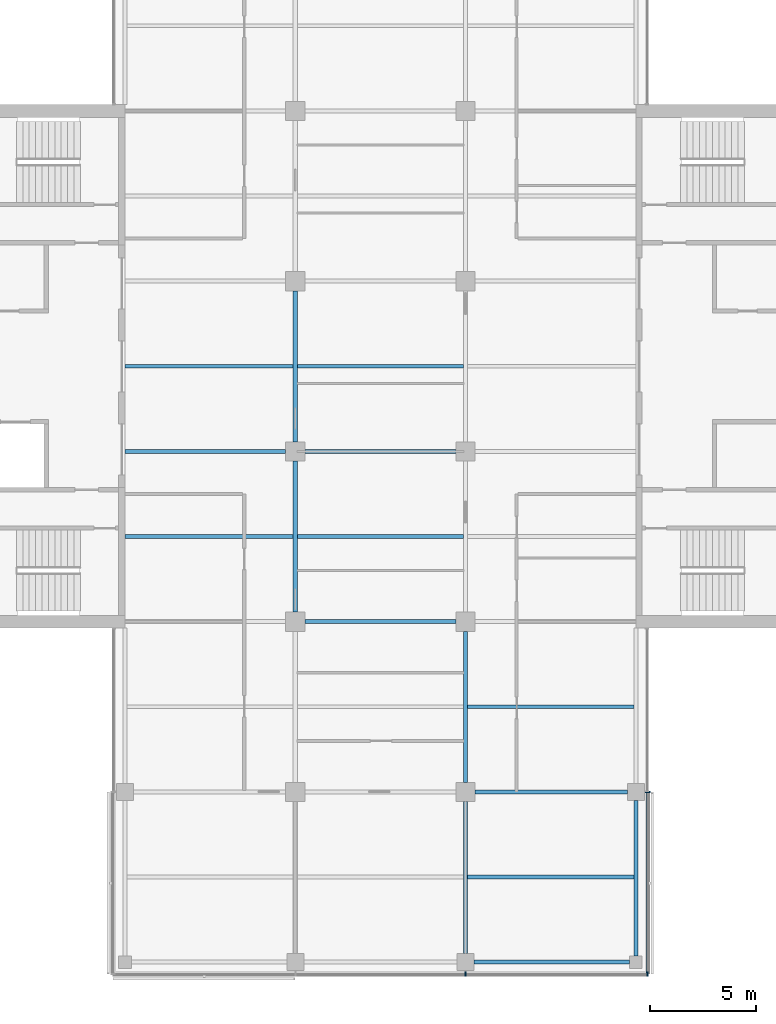
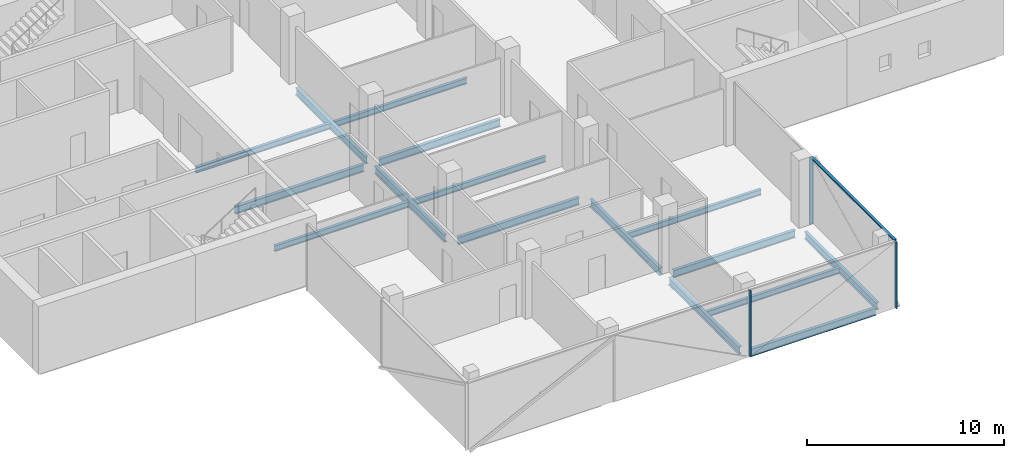
# One storey, part 3 of 15: 16 beams, 4 members, 2 elements without a shape of their own.
"""IFC4 building model written with IfcOpenShell, lengths in metres."""

from ifc_helpers import new_model, si_unit, direction, frame, origin, origin_2d, place, context, subcontext, project, spatial, rectangle, i_section, extrude, material, material_profile, profile_set, type_object, element, aggregate, save


model = new_model("IFC4")

# Units and contexts
model_context = context("Model", 3, precision=1e-05, world=origin(), true_north=direction((0.0, 1.0)))
body_context = subcontext(model_context, "Body", "Model", "MODEL_VIEW")
ifc_project = project(units=[si_unit("LENGTHUNIT", "METRE"), si_unit("AREAUNIT", "SQUARE_METRE"), si_unit("VOLUMEUNIT", "CUBIC_METRE"), si_unit("PLANEANGLEUNIT", "RADIAN"), si_unit("MASSUNIT", "GRAM", prefix="KILO")], contexts=[model_context])

# Site, building, storey
site_placement = place(None, origin())
site = spatial("IfcSite", under=ifc_project, at=site_placement, CompositionType="ELEMENT")
building_placement = place(site_placement, origin())
building = spatial("IfcBuilding", under=site, at=building_placement, Name="Crosswind Convention Tower", CompositionType="ELEMENT")
storey_placement = place(building_placement, frame((0.0, 0.0, 199.89990234375)))
storey = spatial("IfcBuildingStorey", under=building, at=storey_placement, Name="L42", CompositionType="ELEMENT", Elevation=199.89990234375)

# Beams
ifc_material_1 = material(Name="Steel S355", Category="steel")
ifc_material_profile_1 = material_profile(ifc_material_1, i_section(OverallWidth=0.18994140625, OverallDepth=0.45361328125, WebThickness=0.008544921875, FlangeThickness=0.0126953125, FilletRadius=0.01025390625, at=origin_2d()), Name="UB 457x191x67")
ifc_profile_set_1 = profile_set([ifc_material_profile_1], Name="Steel S355")
beam_type_1 = type_object("IfcBeamType", Name="Edge beam UB 457x191x67", PredefinedType="SPANDREL", material=ifc_profile_set_1)
for number, where, z_axis, x_axis, name in (
    (1, (129.39990234375, 72.0, -0.526611328125), (1.0, 0.0, 0.0), (0.0, 1.0, 0.0), "B16 L42 edge beam 9"),
    (2, (137.0, 72.300048828125, -0.526611328125), (0.0, 1.0, 0.0), (-1.0, 0.0, 0.0), "B16 L42 edge beam 11"),
):
    element("IfcBeam", number, at=place(storey_placement, frame(where, z_axis=z_axis, x_axis=x_axis)), inside=storey, type_object=beam_type_1, Name=name, PredefinedType="SPANDREL", context=body_context, shape_type="SweptSolid", body=[
        extrude(i_section(OverallWidth=0.18994140625, OverallDepth=0.45361328125, WebThickness=0.008544921875, FlangeThickness=0.0126953125, FilletRadius=0.01025390625, at=origin_2d()), origin(), (0.0, 0.0, 1.0), 7.300048828125),
    ])
ifc_material_profile_2 = material_profile(ifc_material_1, i_section(OverallWidth=0.1904296875, OverallDepth=0.457275390625, WebThickness=0.009033203125, FlangeThickness=0.014404296875, FilletRadius=0.01025390625, at=origin_2d()), Name="UB 457x191x75")
ifc_profile_set_2 = profile_set([ifc_material_profile_2], Name="Steel S355")
beam_type_2 = type_object("IfcBeamType", Name="Girder UB 457x191x75", PredefinedType="BEAM", material=ifc_profile_set_2)
for number, where, z_axis, x_axis, name in (
    (3, (121.0, 88.449951171875, -0.528564453125), (0.0, 1.0, 0.0), (-1.0, 0.0, 0.0), "B2 L42 girder 5"),
    (4, (121.0, 96.449951171875, -0.528564453125), (0.0, 1.0, 0.0), (-1.0, 0.0, 0.0), "B2 L42 girder 6"),
    (5, (121.449951171875, 88.0, -0.528564453125), (1.0, 0.0, 0.0), (0.0, 1.0, 0.0), "B2 L42 girder 11"),
    (6, (121.449951171875, 96.0, -0.528564453125), (1.0, 0.0, 0.0), (0.0, 1.0, 0.0), "B2 L42 girder 12"),
):
    element("IfcBeam", number, at=place(storey_placement, frame(where, z_axis=z_axis, x_axis=x_axis)), inside=storey, type_object=beam_type_2, Name=name, PredefinedType="BEAM", context=body_context, shape_type="SweptSolid", body=[
        extrude(i_section(OverallWidth=0.1904296875, OverallDepth=0.457275390625, WebThickness=0.009033203125, FlangeThickness=0.014404296875, FilletRadius=0.01025390625, at=origin_2d()), origin(), (0.0, 0.0, 1.0), 7.10009765625),
    ])
beam_1_placement = place(storey_placement, frame((129.0, 72.39990234375, -0.528564453125), z_axis=(0.0, 1.0, 0.0), x_axis=(-1.0, 0.0, 0.0)))
element("IfcBeam", 7, at=beam_1_placement, inside=storey, type_object=beam_type_2, Name="B2 L42 girder 16", PredefinedType="BEAM", context=body_context, shape_type="SweptSolid", body=[
    extrude(i_section(OverallWidth=0.1904296875, OverallDepth=0.457275390625, WebThickness=0.009033203125, FlangeThickness=0.014404296875, FilletRadius=0.01025390625, at=origin_2d()), origin(), (0.0, 0.0, 1.0), 7.150146484375),
])
beam_2_placement = place(storey_placement, frame((129.0, 80.449951171875, -0.528564453125), z_axis=(0.0, 1.0, 0.0), x_axis=(-1.0, 0.0, 0.0)))
element("IfcBeam", 8, at=beam_2_placement, inside=storey, type_object=beam_type_2, Name="B2 L42 girder 17", PredefinedType="BEAM", context=body_context, shape_type="SweptSolid", body=[
    extrude(i_section(OverallWidth=0.1904296875, OverallDepth=0.457275390625, WebThickness=0.009033203125, FlangeThickness=0.014404296875, FilletRadius=0.01025390625, at=origin_2d()), origin(), (0.0, 0.0, 1.0), 7.10009765625),
])
beam_3_placement = place(storey_placement, frame((129.449951171875, 80.0, -0.528564453125), z_axis=(1.0, 0.0, 0.0), x_axis=(0.0, 1.0, 0.0)))
element("IfcBeam", 9, at=beam_3_placement, inside=storey, type_object=beam_type_2, Name="B2 L42 girder 23", PredefinedType="BEAM", context=body_context, shape_type="SweptSolid", body=[
    extrude(i_section(OverallWidth=0.1904296875, OverallDepth=0.457275390625, WebThickness=0.009033203125, FlangeThickness=0.014404296875, FilletRadius=0.01025390625, at=origin_2d()), origin(), (0.0, 0.0, 1.0), 7.150146484375),
])
ifc_material_profile_3 = material_profile(ifc_material_1, i_section(OverallWidth=0.19140625, OverallDepth=0.460205078125, WebThickness=0.010009765625, FlangeThickness=0.01611328125, FilletRadius=0.01025390625, at=origin_2d()), Name="UB 457x191x82")
ifc_profile_set_3 = profile_set([ifc_material_profile_3], Name="Steel S355")
beam_type_3 = type_object("IfcBeamType", Name="Girder at core wall UB 457x191x82", PredefinedType="BEAM", material=ifc_profile_set_3)
beam_4_placement = place(storey_placement, frame((113.0, 96.0, -0.530029296875), z_axis=(1.0, 0.0, 0.0), x_axis=(0.0, 1.0, 0.0)))
element("IfcBeam", 10, at=beam_4_placement, inside=storey, type_object=beam_type_3, Name="B23 L42 girder at core wall 2", PredefinedType="BEAM", context=body_context, shape_type="SweptSolid", body=[
    extrude(i_section(OverallWidth=0.19140625, OverallDepth=0.460205078125, WebThickness=0.010009765625, FlangeThickness=0.01611328125, FilletRadius=0.01025390625, at=origin_2d()), origin(), (0.0, 0.0, 1.0), 7.550048828125),
])

# Curtain wall, members
ifc_material_2 = material(Name="Aluminium unitised curtain wall", Category="aluminium")
curtain_wall_type = type_object("IfcCurtainWallType", Name="OFFICE UNITISED WALL 220", PredefinedType="USERDEFINED", material=ifc_material_2)
curtain_wall_1_placement = place(storey_placement, origin())
curtain_wall_1 = element("IfcCurtainWall", 11, at=curtain_wall_1_placement, inside=storey, type_object=curtain_wall_type, Name="CW3 L42 S-TIP 1", ObjectType="UNITISED", PredefinedType="USERDEFINED")
ifc_material_3 = material(Name="Aluminium mullion", Category="aluminium")
ifc_material_profile_4 = material_profile(ifc_material_3, rectangle(XDim=0.219970703125, YDim=0.070068359375, at=origin_2d()), Name="AL 220X70")
ifc_profile_set_4 = profile_set([ifc_material_profile_4], Name="Aluminium mullion")
member_type_1 = type_object("IfcMemberType", Name="MULLION 70X220", PredefinedType="MULLION", material=ifc_profile_set_4)
member_1_placement = place(storey_placement, frame((129.0, 71.43994140625, -0.2998046875), z_axis=(0.0, 0.0, 1.0), x_axis=(0.0, -1.0, 0.0)))
member_1 = element("IfcMember", 12, at=member_1_placement, type_object=member_type_1, Name="CW3 mullion 3", PredefinedType="MULLION", context=body_context, shape_type="SweptSolid", body=[
    extrude(rectangle(XDim=0.219970703125, YDim=0.070068359375, at=origin_2d()), origin(), (0.0, 0.0, 1.0), 4.1298828125),
])
member_2_placement = place(storey_placement, frame((137.56005859375, 71.43994140625, -0.2998046875), z_axis=(0.0, 0.0, 1.0), x_axis=(0.0, -1.0, 0.0)))
member_2 = element("IfcMember", 13, at=member_2_placement, type_object=member_type_1, Name="CW3 mullion 4", PredefinedType="MULLION", context=body_context, shape_type="SweptSolid", body=[
    extrude(rectangle(XDim=0.219970703125, YDim=0.070068359375, at=origin_2d()), origin(), (0.0, 0.0, 1.0), 4.1298828125),
])
aggregate(curtain_wall_1, [member_1, member_2])

# Curtain wall, member
curtain_wall_2_placement = place(storey_placement, origin())
curtain_wall_2 = element("IfcCurtainWall", 14, at=curtain_wall_2_placement, inside=storey, type_object=curtain_wall_type, Name="CW3 L42 S-E 1", ObjectType="UNITISED", PredefinedType="USERDEFINED")
member_3_placement = place(storey_placement, frame((137.56005859375, 80.0, -0.2998046875), z_axis=(0.0, 0.0, 1.0), x_axis=(1.0, 0.0, 0.0)))
member_3 = element("IfcMember", 15, at=member_3_placement, type_object=member_type_1, Name="CW3 mullion 2", PredefinedType="MULLION", context=body_context, shape_type="SweptSolid", body=[
    extrude(rectangle(XDim=0.219970703125, YDim=0.070068359375, at=origin_2d()), origin(), (0.0, 0.0, 1.0), 4.1298828125),
])

# Beams
ifc_material_profile_5 = material_profile(ifc_material_1, i_section(OverallWidth=0.172119140625, OverallDepth=0.358642578125, WebThickness=0.008056640625, FlangeThickness=0.012939453125, FilletRadius=0.01025390625, at=origin_2d()), Name="UB 356x171x57")
ifc_profile_set_5 = profile_set([ifc_material_profile_5], Name="Steel S355")
beam_type_4 = type_object("IfcBeamType", Name="Secondary beam UB 356x171x57", PredefinedType="JOIST", material=ifc_profile_set_5)
for number, where, z_axis, x_axis, name in (
    (16, (113.0, 92.0, -0.479248046875), (1.0, 0.0, 0.0), (0.0, 1.0, 0.0), "B9 L42 secondary beam 1"),
    (17, (113.0, 100.0, -0.479248046875), (1.0, 0.0, 0.0), (0.0, 1.0, 0.0), "B9 L42 secondary beam 2"),
):
    element("IfcBeam", number, at=place(storey_placement, frame(where, z_axis=z_axis, x_axis=x_axis)), inside=storey, type_object=beam_type_4, Name=name, PredefinedType="JOIST", context=body_context, shape_type="SweptSolid", body=[
        extrude(i_section(OverallWidth=0.172119140625, OverallDepth=0.358642578125, WebThickness=0.008056640625, FlangeThickness=0.012939453125, FilletRadius=0.01025390625, at=origin_2d()), origin(), (0.0, 0.0, 1.0), 7.90478515625),
    ])
for number, where, z_axis, x_axis, name in (
    (18, (121.09521484375, 92.0, -0.479248046875), (1.0, 0.0, 0.0), (0.0, 1.0, 0.0), "B9 L42 secondary beam 10"),
    (19, (121.09521484375, 100.0, -0.479248046875), (1.0, 0.0, 0.0), (0.0, 1.0, 0.0), "B9 L42 secondary beam 11"),
):
    element("IfcBeam", number, at=place(storey_placement, frame(where, z_axis=z_axis, x_axis=x_axis)), inside=storey, type_object=beam_type_4, Name=name, PredefinedType="JOIST", context=body_context, shape_type="SweptSolid", body=[
        extrude(i_section(OverallWidth=0.172119140625, OverallDepth=0.358642578125, WebThickness=0.008056640625, FlangeThickness=0.012939453125, FilletRadius=0.01025390625, at=origin_2d()), origin(), (0.0, 0.0, 1.0), 7.8095703125),
    ])
for number, where, z_axis, x_axis, name in (
    (20, (129.09521484375, 76.0, -0.479248046875), (1.0, 0.0, 0.0), (0.0, 1.0, 0.0), "B9 L42 secondary beam 15"),
    (21, (129.09521484375, 84.0, -0.479248046875), (1.0, 0.0, 0.0), (0.0, 1.0, 0.0), "B9 L42 secondary beam 16"),
):
    element("IfcBeam", number, at=place(storey_placement, frame(where, z_axis=z_axis, x_axis=x_axis)), inside=storey, type_object=beam_type_4, Name=name, PredefinedType="JOIST", context=body_context, shape_type="SweptSolid", body=[
        extrude(i_section(OverallWidth=0.172119140625, OverallDepth=0.358642578125, WebThickness=0.008056640625, FlangeThickness=0.012939453125, FilletRadius=0.01025390625, at=origin_2d()), origin(), (0.0, 0.0, 1.0), 7.809814453125),
    ])

# Member
ifc_material_4 = material(Name="Aluminium transom", Category="aluminium")
ifc_material_profile_6 = material_profile(ifc_material_4, rectangle(XDim=0.159912109375, YDim=0.070068359375, at=origin_2d()), Name="AL 160X70")
ifc_profile_set_6 = profile_set([ifc_material_profile_6], Name="Aluminium transom")
member_type_2 = type_object("IfcMemberType", Name="TRANSOM 70X160", PredefinedType="USERDEFINED", material=ifc_profile_set_6)
member_4_placement = place(storey_placement, frame((137.56005859375, 71.47509765625, 3.864990234375), z_axis=(0.0, 1.0, 0.0), x_axis=(-1.0, 0.0, 0.0)))
member_4 = element("IfcMember", 22, at=member_4_placement, type_object=member_type_2, Name="CW3 transom", ObjectType="TRANSOM", PredefinedType="USERDEFINED", context=body_context, shape_type="SweptSolid", body=[
    extrude(rectangle(XDim=0.159912109375, YDim=0.070068359375, at=origin_2d()), origin(), (0.0, 0.0, 1.0), 8.489990234375),
])

aggregate(curtain_wall_2, [member_3, member_4])

save(model, "model.ifc")
